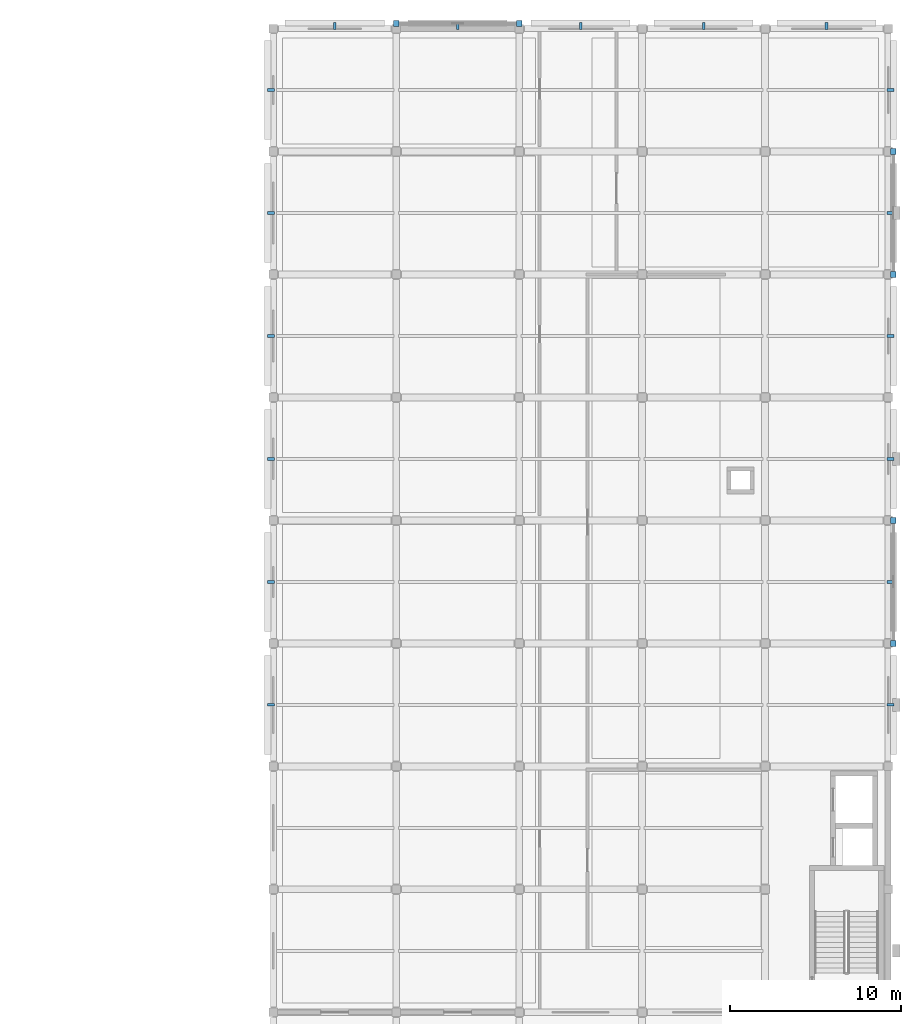
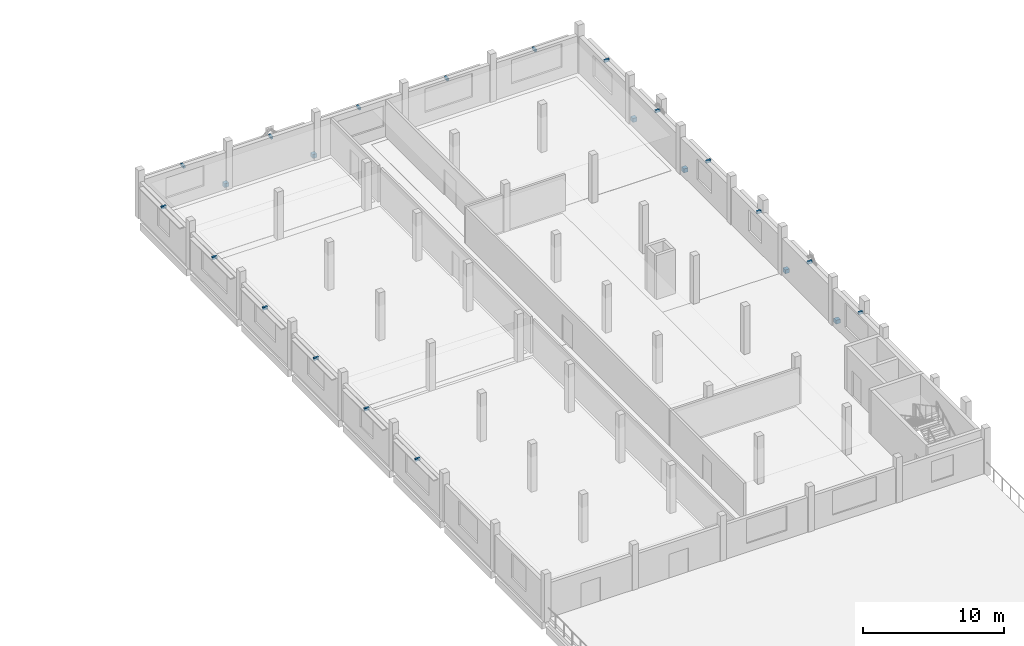
# One storey, part 27 of 33: 23 discrete accessories.
"""IFC4 building model written with IfcOpenShell, lengths in metres."""

from ifc_helpers import new_model, si_unit, direction, frame, origin, origin_2d, place, context, subcontext, project, spatial, rectangle, extrude, material, type_object, element, save


model = new_model("IFC4")

# Units and contexts
model_context = context("Model", 3, precision=1e-05, world=origin(), true_north=direction((0.0, 1.0)))
body_context = subcontext(model_context, "Body", "Model", "MODEL_VIEW")
ifc_project = project(units=[si_unit("LENGTHUNIT", "METRE"), si_unit("AREAUNIT", "SQUARE_METRE"), si_unit("VOLUMEUNIT", "CUBIC_METRE"), si_unit("PLANEANGLEUNIT", "RADIAN"), si_unit("MASSUNIT", "GRAM", prefix="KILO")], contexts=[model_context])

# Site, building, storey
site_placement = place(None, origin())
site = spatial("IfcSite", under=ifc_project, at=site_placement, CompositionType="ELEMENT")
building_placement = place(site_placement, origin())
building = spatial("IfcBuilding", under=site, at=building_placement, Name="Valkovuoma Quantum and Materials Research Institute", CompositionType="ELEMENT")
storey_placement = place(building_placement, frame((0.0, 0.0, 21.43994140625)))
storey = spatial("IfcBuildingStorey", under=building, at=storey_placement, Name="L05", CompositionType="ELEMENT", Elevation=21.43994140625)

# Discrete accessories
ifc_material_1 = material(Name="Steel S355J2", Category="steel")
discrete_accessory_type_1 = type_object("IfcDiscreteAccessoryType", Name="Brk-BRK-01", PredefinedType="BRACKET", material=ifc_material_1)
for number, where, z_axis, x_axis, name in (
    (1, (165.739990234375, 75.60009765625, 2.93994140625), (0.0, 0.0, 1.0), (1.0, 0.0, 0.0), "L05 sunshade bracket 00705"),
    (2, (129.4599609375, 75.60009765625, 2.93994140625), (0.0, 0.0, 1.0), (1.0, 0.0, 0.0), "L05 sunshade bracket 00706"),
    (3, (165.739990234375, 82.800048828125, 2.93994140625), (0.0, 0.0, 1.0), (1.0, 0.0, 0.0), "L05 sunshade bracket 00707"),
    (4, (129.4599609375, 82.800048828125, 2.93994140625), (0.0, 0.0, 1.0), (1.0, 0.0, 0.0), "L05 sunshade bracket 00708"),
    (5, (165.739990234375, 90.0, 2.93994140625), (0.0, 0.0, 1.0), (1.0, 0.0, 0.0), "L05 sunshade bracket 00709"),
    (6, (129.4599609375, 90.0, 2.93994140625), (0.0, 0.0, 1.0), (1.0, 0.0, 0.0), "L05 sunshade bracket 00710"),
    (7, (165.739990234375, 97.199951171875, 2.93994140625), (0.0, 0.0, 1.0), (1.0, 0.0, 0.0), "L05 sunshade bracket 00711"),
    (8, (129.4599609375, 97.199951171875, 2.93994140625), (0.0, 0.0, 1.0), (1.0, 0.0, 0.0), "L05 sunshade bracket 00712"),
    (9, (165.739990234375, 104.39990234375, 2.93994140625), (0.0, 0.0, 1.0), (1.0, 0.0, 0.0), "L05 sunshade bracket 00713"),
    (10, (129.4599609375, 104.39990234375, 2.93994140625), (0.0, 0.0, 1.0), (1.0, 0.0, 0.0), "L05 sunshade bracket 00714"),
    (11, (165.739990234375, 111.60009765625, 2.93994140625), (0.0, 0.0, 1.0), (1.0, 0.0, 0.0), "L05 sunshade bracket 00715"),
    (12, (129.4599609375, 111.60009765625, 2.93994140625), (0.0, 0.0, 1.0), (1.0, 0.0, 0.0), "L05 sunshade bracket 00716"),
):
    element("IfcDiscreteAccessory", number, at=place(storey_placement, frame(where, z_axis=z_axis, x_axis=x_axis)), inside=storey, type_object=discrete_accessory_type_1, Name=name, PredefinedType="BRACKET", context=body_context, shape_type="SweptSolid", body=[
        extrude(rectangle(XDim=0.39990234375, YDim=0.159912109375, at=origin_2d()), origin(), (0.0, 0.0, 1.0), 0.219970703125),
    ])
for number, where, z_axis, x_axis, name in (
    (13, (133.199951171875, 115.340087890625, 2.93994140625), (0.0, 0.0, 1.0), (1.0, 0.0, 0.0), "L05 north sunshade bracket 00717"),
    (14, (140.39990234375, 115.340087890625, 2.93994140625), (0.0, 0.0, 1.0), (1.0, 0.0, 0.0), "L05 north sunshade bracket 00718"),
    (15, (147.60009765625, 115.340087890625, 2.93994140625), (0.0, 0.0, 1.0), (1.0, 0.0, 0.0), "L05 north sunshade bracket 00719"),
    (16, (154.800048828125, 115.340087890625, 2.93994140625), (0.0, 0.0, 1.0), (1.0, 0.0, 0.0), "L05 north sunshade bracket 00720"),
    (17, (162.0, 115.340087890625, 2.93994140625), (0.0, 0.0, 1.0), (1.0, 0.0, 0.0), "L05 north sunshade bracket 00721"),
):
    element("IfcDiscreteAccessory", number, at=place(storey_placement, frame(where, z_axis=z_axis, x_axis=x_axis)), inside=storey, type_object=discrete_accessory_type_1, Name=name, PredefinedType="BRACKET", context=body_context, shape_type="SweptSolid", body=[
        extrude(rectangle(XDim=0.159912109375, YDim=0.39990234375, at=origin_2d()), origin(), (0.0, 0.0, 1.0), 0.219970703125),
    ])
ifc_material_2 = material(Name="Steel S355J2", Category="steel")
discrete_accessory_type_2 = type_object("IfcDiscreteAccessoryType", Name="Conn-END-01", PredefinedType="BRACKET", material=ifc_material_2)
for number, where, z_axis, x_axis, name in (
    (18, (165.89990234375, 79.199951171875, -0.06982421875), (0.0, 0.0, 1.0), (1.0, 0.0, 0.0), "L05 brace end connection assembly 0298"),
    (19, (165.89990234375, 86.39990234375, -0.06982421875), (0.0, 0.0, 1.0), (1.0, 0.0, 0.0), "L05 brace end connection assembly 0299"),
    (20, (165.89990234375, 100.800048828125, -0.06982421875), (0.0, 0.0, 1.0), (1.0, 0.0, 0.0), "L05 brace end connection assembly 0310"),
    (21, (165.89990234375, 108.0, -0.06982421875), (0.0, 0.0, 1.0), (1.0, 0.0, 0.0), "L05 brace end connection assembly 0311"),
    (22, (136.800048828125, 115.5, -0.06982421875), (0.0, 0.0, 1.0), (1.0, 0.0, 0.0), "L05 brace end connection assembly 0322"),
    (23, (144.0, 115.5, -0.06982421875), (0.0, 0.0, 1.0), (1.0, 0.0, 0.0), "L05 brace end connection assembly 0323"),
):
    element("IfcDiscreteAccessory", number, at=place(storey_placement, frame(where, z_axis=z_axis, x_axis=x_axis)), inside=storey, type_object=discrete_accessory_type_2, Name=name, PredefinedType="BRACKET", context=body_context, shape_type="SweptSolid", body=[
        extrude(rectangle(XDim=0.340087890625, YDim=0.340087890625, at=origin_2d()), origin(), (0.0, 0.0, 1.0), 0.340087890625),
    ])

save(model, "model.ifc")
